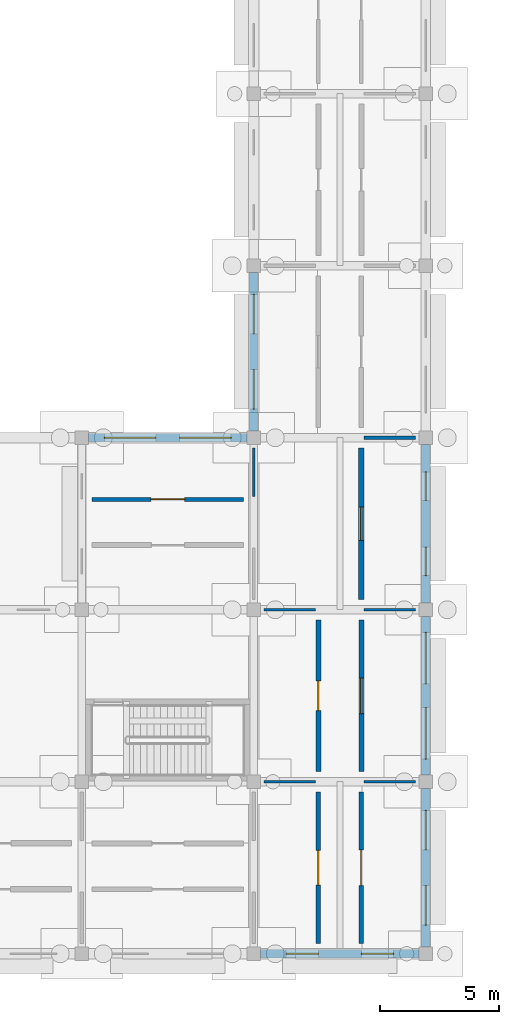
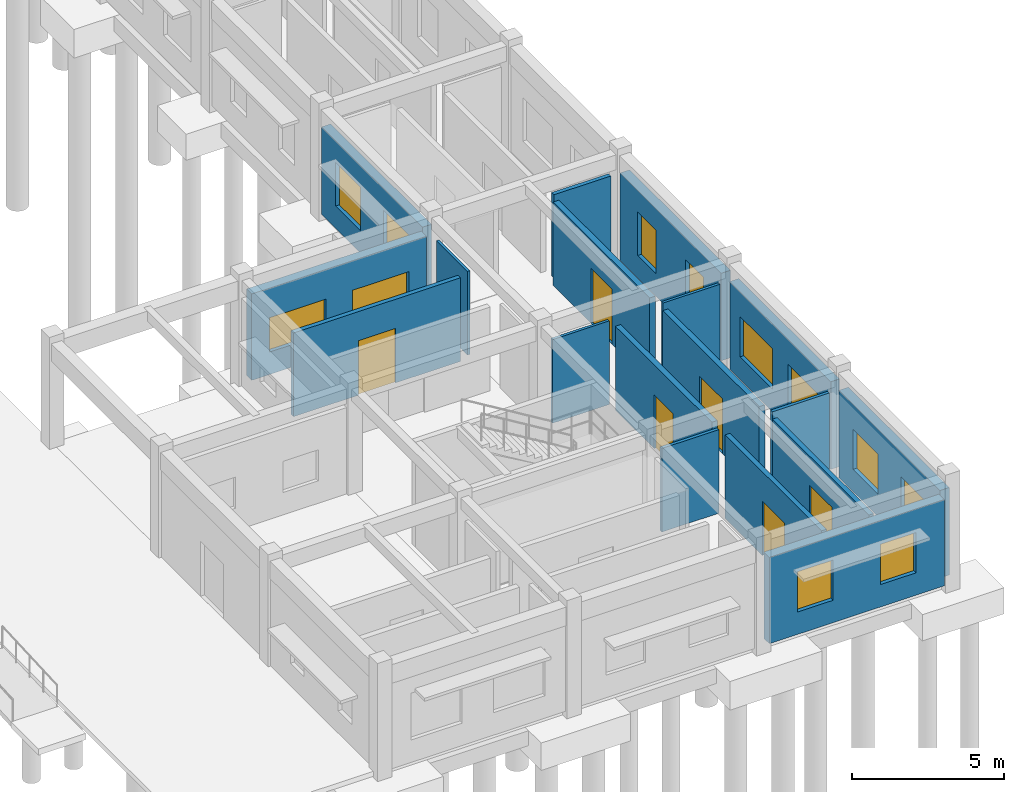
# One storey, part 77 of 111: 18 walls, 12 windows, 6 doors, 18 openings.
"""IFC4 building model written with IfcOpenShell, lengths in metres."""

from ifc_helpers import new_model, si_unit, direction, frame, frame_2d, origin, place, context, subcontext, project, spatial, rectangle, extrude, material, layer, layer_set, type_object, element, fill, save


model = new_model("IFC4")

# Units and contexts
model_context = context("Model", 3, precision=1e-05, world=origin(), true_north=direction((0.0, 1.0)))
body_context = subcontext(model_context, "Body", "Model", "MODEL_VIEW")
ifc_project = project(units=[si_unit("LENGTHUNIT", "METRE"), si_unit("AREAUNIT", "SQUARE_METRE"), si_unit("VOLUMEUNIT", "CUBIC_METRE"), si_unit("PLANEANGLEUNIT", "RADIAN"), si_unit("MASSUNIT", "GRAM", prefix="KILO")], contexts=[model_context])

# Site, building, storey
site_placement = place(None, origin())
site = spatial("IfcSite", under=ifc_project, at=site_placement, CompositionType="ELEMENT")
building_placement = place(site_placement, origin())
building = spatial("IfcBuilding", under=site, at=building_placement, Name="Aldebral Square Health Centre", CompositionType="ELEMENT")
storey_placement = place(building_placement, origin())
storey = spatial("IfcBuildingStorey", under=building, at=storey_placement, Name="L00", CompositionType="ELEMENT", Elevation=0.0)

# Wall, openings, windows
ifc_material_1 = material(Name="Cream cantera stone and concrete wall C35/45", Category="masonry")
ifc_layer_1 = layer(ifc_material_1, 0.340087890625, Name="Cream cantera stone and concrete wall C35/45", Category="masonry")
ifc_layer_set_1 = layer_set([ifc_layer_1], Name="Cream cantera stone and concrete wall C35/45")
wall_type_1 = type_object("IfcWallType", Name="EW-CAN-340", PredefinedType="SOLIDWALL", material=ifc_layer_set_1)
wall_1_placement = place(storey_placement, frame((158.125, 21.60009765625, 0.0), z_axis=(0.0, 0.0, 1.0), x_axis=(-1.0, 0.0, 0.0)))
wall_1 = element("IfcWall", 1, at=wall_1_placement, inside=storey, type_object=wall_type_1, Name="L00 V3 exterior wall L00-V3-21-02-N", PredefinedType="SOLIDWALL", context=body_context, shape_type="SweptSolid", body=[
    extrude(rectangle(XDim=6.64990234375, YDim=0.340087890625, at=frame_2d((3.324951171875, 0.0))), origin(), (0.0, 0.0, 1.0), 3.469970703125),
])
opening_1_placement = place(wall_1_placement, frame((0.675048828125, 0.0, 0.89990234375)))
opening_1 = element("IfcOpeningElement", 2, at=opening_1_placement, cuts=wall_1, Name="Opening W18", PredefinedType="OPENING", context=body_context, shape_type="SweptSolid", body=[
    extrude(rectangle(XDim=2.14990234375, YDim=1.3798828125, at=frame_2d((1.074951171875, 0.68994140625))), frame((0.0, 0.18017578125, 0.0), z_axis=(0.0, -1.0, 0.0), x_axis=(1.0, 0.0, 0.0)), (0.0, 0.0, 1.0), 0.360107421875),
])
opening_2_placement = place(wall_1_placement, frame((3.824951171875, 0.0, 0.89990234375)))
opening_2 = element("IfcOpeningElement", 3, at=opening_2_placement, cuts=wall_1, Name="Opening W18", PredefinedType="OPENING", context=body_context, shape_type="SweptSolid", body=[
    extrude(rectangle(XDim=2.14990234375, YDim=1.3798828125, at=frame_2d((1.074951171875, 0.68994140625))), frame((0.0, 0.18017578125, 0.0), z_axis=(0.0, -1.0, 0.0), x_axis=(1.0, 0.0, 0.0)), (0.0, 0.0, 1.0), 0.360107421875),
])
ifc_material_2 = material(Name="Thermally broken aluminium and low-E glass", Category="aluminium")
window_type_1 = type_object("IfcWindowType", Name="WIN-W18", PartitioningType="SINGLE_PANEL", PredefinedType="WINDOW", material=ifc_material_2)
window_1_placement = place(opening_1_placement, origin())
window_1 = element("IfcWindow", 4, at=window_1_placement, inside=storey, type_object=window_type_1, Name="L00 clinical window L00-V3-21-02-N.1", OverallHeight=1.3798828125, OverallWidth=2.14990234375, PartitioningType="SINGLE_PANEL", PredefinedType="WINDOW", context=body_context, shape_type="SweptSolid", body=[
    extrude(rectangle(XDim=2.14990234375, YDim=1.3798828125, at=frame_2d((1.074951171875, 0.68994140625))), frame((0.0, 0.030029296875, 0.0), z_axis=(0.0, -1.0, 0.0), x_axis=(1.0, 0.0, 0.0)), (0.0, 0.0, 1.0), 0.06005859375),
])
fill(opening_1, window_1)
window_2_placement = place(opening_2_placement, origin())
window_2 = element("IfcWindow", 5, at=window_2_placement, inside=storey, type_object=window_type_1, Name="L00 clinical window L00-V3-21-02-N.2", OverallHeight=1.3798828125, OverallWidth=2.14990234375, PartitioningType="SINGLE_PANEL", PredefinedType="WINDOW", context=body_context, shape_type="SweptSolid", body=[
    extrude(rectangle(XDim=2.14990234375, YDim=1.3798828125, at=frame_2d((1.074951171875, 0.68994140625))), frame((0.0, 0.030029296875, 0.0), z_axis=(0.0, -1.0, 0.0), x_axis=(1.0, 0.0, 0.0)), (0.0, 0.0, 1.0), 0.06005859375),
])
fill(opening_2, window_2)

wall_2_placement = place(storey_placement, frame((165.60009765625, 7.47509765625, 0.0), z_axis=(0.0, 0.0, 1.0), x_axis=(0.0, 1.0, 0.0)))
wall_2 = element("IfcWall", 6, at=wall_2_placement, inside=storey, type_object=wall_type_1, Name="L00 V3 exterior wall L00-V3-22-01-E", PredefinedType="SOLIDWALL", context=body_context, shape_type="SweptSolid", body=[
    extrude(rectangle(XDim=6.64990234375, YDim=0.340087890625, at=frame_2d((3.324951171875, 0.0))), origin(), (0.0, 0.0, 1.0), 3.52001953125),
])
opening_3_placement = place(wall_2_placement, frame((0.675048828125, 0.0, 0.89990234375)))
opening_3 = element("IfcOpeningElement", 7, at=opening_3_placement, cuts=wall_2, Name="Opening W36", PredefinedType="OPENING", context=body_context, shape_type="SweptSolid", body=[
    extrude(rectangle(XDim=2.14990234375, YDim=1.6201171875, at=frame_2d((1.074951171875, 0.81005859375))), frame((0.0, 0.18017578125, 0.0), z_axis=(0.0, -1.0, 0.0), x_axis=(1.0, 0.0, 0.0)), (0.0, 0.0, 1.0), 0.360107421875),
])
opening_4_placement = place(wall_2_placement, frame((3.824951171875, 0.0, 0.89990234375)))
opening_4 = element("IfcOpeningElement", 8, at=opening_4_placement, cuts=wall_2, Name="Opening W36", PredefinedType="OPENING", context=body_context, shape_type="SweptSolid", body=[
    extrude(rectangle(XDim=2.14990234375, YDim=1.6201171875, at=frame_2d((1.074951171875, 0.81005859375))), frame((0.0, 0.18017578125, 0.0), z_axis=(0.0, -1.0, 0.0), x_axis=(1.0, 0.0, 0.0)), (0.0, 0.0, 1.0), 0.360107421875),
])
window_type_2 = type_object("IfcWindowType", Name="WIN-W36", PartitioningType="SINGLE_PANEL", PredefinedType="WINDOW", material=ifc_material_2)
window_3_placement = place(opening_3_placement, origin())
window_3 = element("IfcWindow", 9, at=window_3_placement, inside=storey, type_object=window_type_2, Name="L00 clinical window L00-V3-22-01-E.1", OverallHeight=1.6201171875, OverallWidth=2.14990234375, PartitioningType="SINGLE_PANEL", PredefinedType="WINDOW", context=body_context, shape_type="SweptSolid", body=[
    extrude(rectangle(XDim=2.14990234375, YDim=1.6201171875, at=frame_2d((1.074951171875, 0.81005859375))), frame((0.0, 0.030029296875, 0.0), z_axis=(0.0, -1.0, 0.0), x_axis=(1.0, 0.0, 0.0)), (0.0, 0.0, 1.0), 0.06005859375),
])
fill(opening_3, window_3)
window_4_placement = place(opening_4_placement, origin())
window_4 = element("IfcWindow", 10, at=window_4_placement, inside=storey, type_object=window_type_2, Name="L00 clinical window L00-V3-22-01-E.2", OverallHeight=1.6201171875, OverallWidth=2.14990234375, PartitioningType="SINGLE_PANEL", PredefinedType="WINDOW", context=body_context, shape_type="SweptSolid", body=[
    extrude(rectangle(XDim=2.14990234375, YDim=1.6201171875, at=frame_2d((1.074951171875, 0.81005859375))), frame((0.0, 0.030029296875, 0.0), z_axis=(0.0, -1.0, 0.0), x_axis=(1.0, 0.0, 0.0)), (0.0, 0.0, 1.0), 0.06005859375),
])
fill(opening_4, window_4)

wall_3_placement = place(storey_placement, frame((158.39990234375, 28.52490234375, 0.0), z_axis=(0.0, 0.0, 1.0), x_axis=(0.0, -1.0, 0.0)))
wall_3 = element("IfcWall", 11, at=wall_3_placement, inside=storey, type_object=wall_type_1, Name="L00 V3 exterior wall L00-V3-22-03-W", PredefinedType="SOLIDWALL", context=body_context, shape_type="SweptSolid", body=[
    extrude(rectangle(XDim=6.64990234375, YDim=0.340087890625, at=frame_2d((3.324951171875, 0.0))), origin(), (0.0, 0.0, 1.0), 3.52001953125),
])
opening_5_placement = place(wall_3_placement, frame((0.925048828125, 0.0, 0.89990234375)))
opening_5 = element("IfcOpeningElement", 12, at=opening_5_placement, cuts=wall_3, Name="Opening W42", PredefinedType="OPENING", context=body_context, shape_type="SweptSolid", body=[
    extrude(rectangle(XDim=1.64990234375, YDim=1.75, at=frame_2d((0.824951171875, 0.875))), frame((0.0, 0.18017578125, 0.0), z_axis=(0.0, -1.0, 0.0), x_axis=(1.0, 0.0, 0.0)), (0.0, 0.0, 1.0), 0.360107421875),
])
opening_6_placement = place(wall_3_placement, frame((4.074951171875, 0.0, 0.89990234375)))
opening_6 = element("IfcOpeningElement", 13, at=opening_6_placement, cuts=wall_3, Name="Opening W42", PredefinedType="OPENING", context=body_context, shape_type="SweptSolid", body=[
    extrude(rectangle(XDim=1.64990234375, YDim=1.75, at=frame_2d((0.824951171875, 0.875))), frame((0.0, 0.18017578125, 0.0), z_axis=(0.0, -1.0, 0.0), x_axis=(1.0, 0.0, 0.0)), (0.0, 0.0, 1.0), 0.360107421875),
])
window_type_3 = type_object("IfcWindowType", Name="WIN-W42", PartitioningType="SINGLE_PANEL", PredefinedType="WINDOW", material=ifc_material_2)
window_5_placement = place(opening_5_placement, origin())
window_5 = element("IfcWindow", 14, at=window_5_placement, inside=storey, type_object=window_type_3, Name="L00 clinical window L00-V3-22-03-W.1", OverallHeight=1.75, OverallWidth=1.64990234375, PartitioningType="SINGLE_PANEL", PredefinedType="WINDOW", context=body_context, shape_type="SweptSolid", body=[
    extrude(rectangle(XDim=1.64990234375, YDim=1.75, at=frame_2d((0.824951171875, 0.875))), frame((0.0, 0.030029296875, 0.0), z_axis=(0.0, -1.0, 0.0), x_axis=(1.0, 0.0, 0.0)), (0.0, 0.0, 1.0), 0.06005859375),
])
fill(opening_5, window_5)
window_6_placement = place(opening_6_placement, origin())
window_6 = element("IfcWindow", 15, at=window_6_placement, inside=storey, type_object=window_type_3, Name="L00 clinical window L00-V3-22-03-W.2", OverallHeight=1.75, OverallWidth=1.64990234375, PartitioningType="SINGLE_PANEL", PredefinedType="WINDOW", context=body_context, shape_type="SweptSolid", body=[
    extrude(rectangle(XDim=1.64990234375, YDim=1.75, at=frame_2d((0.824951171875, 0.875))), frame((0.0, 0.030029296875, 0.0), z_axis=(0.0, -1.0, 0.0), x_axis=(1.0, 0.0, 0.0)), (0.0, 0.0, 1.0), 0.06005859375),
])
fill(opening_6, window_6)

ifc_layer_2 = layer(ifc_material_1, 0.360107421875, Name="Cream cantera stone and concrete wall C35/45", Category="masonry")
ifc_layer_set_2 = layer_set([ifc_layer_2], Name="Cream cantera stone and concrete wall C35/45")
wall_type_2 = type_object("IfcWallType", Name="EW-CAN-360", PredefinedType="SOLIDWALL", material=ifc_layer_set_2)
wall_4_placement = place(storey_placement, frame((158.675048828125, 0.0, 0.0), z_axis=(0.0, 0.0, 1.0), x_axis=(1.0, 0.0, 0.0)))
wall_4 = element("IfcWall", 16, at=wall_4_placement, inside=storey, type_object=wall_type_2, Name="L00 V3 exterior wall L00-V3-22-00-S", PredefinedType="SOLIDWALL", context=body_context, shape_type="SweptSolid", body=[
    extrude(rectangle(XDim=6.64990234375, YDim=0.360107421875, at=frame_2d((3.324951171875, 0.0))), origin(), (0.0, 0.0, 1.0), 3.469970703125),
])
opening_7_placement = place(wall_4_placement, frame((1.074951171875, 0.0, 0.89990234375)))
opening_7 = element("IfcOpeningElement", 17, at=opening_7_placement, cuts=wall_4, Name="Opening W31", PredefinedType="OPENING", context=body_context, shape_type="SweptSolid", body=[
    extrude(rectangle(XDim=1.35009765625, YDim=1.6201171875, at=frame_2d((0.675048828125, 0.81005859375))), frame((0.0, 0.18994140625, 0.0), z_axis=(0.0, -1.0, 0.0), x_axis=(1.0, 0.0, 0.0)), (0.0, 0.0, 1.0), 0.380126953125),
])
opening_8_placement = place(wall_4_placement, frame((4.22509765625, 0.0, 0.89990234375)))
opening_8 = element("IfcOpeningElement", 18, at=opening_8_placement, cuts=wall_4, Name="Opening W31", PredefinedType="OPENING", context=body_context, shape_type="SweptSolid", body=[
    extrude(rectangle(XDim=1.35009765625, YDim=1.6201171875, at=frame_2d((0.675048828125, 0.81005859375))), frame((0.0, 0.18994140625, 0.0), z_axis=(0.0, -1.0, 0.0), x_axis=(1.0, 0.0, 0.0)), (0.0, 0.0, 1.0), 0.380126953125),
])
window_type_4 = type_object("IfcWindowType", Name="WIN-W31", PartitioningType="SINGLE_PANEL", PredefinedType="WINDOW", material=ifc_material_2)
window_7_placement = place(opening_7_placement, origin())
window_7 = element("IfcWindow", 19, at=window_7_placement, inside=storey, type_object=window_type_4, Name="L00 clinical window L00-V3-22-00-S.1", OverallHeight=1.6201171875, OverallWidth=1.35009765625, PartitioningType="SINGLE_PANEL", PredefinedType="WINDOW", context=body_context, shape_type="SweptSolid", body=[
    extrude(rectangle(XDim=1.35009765625, YDim=1.6201171875, at=frame_2d((0.675048828125, 0.81005859375))), frame((0.0, 0.030029296875, 0.0), z_axis=(0.0, -1.0, 0.0), x_axis=(1.0, 0.0, 0.0)), (0.0, 0.0, 1.0), 0.06005859375),
])
fill(opening_7, window_7)
window_8_placement = place(opening_8_placement, origin())
window_8 = element("IfcWindow", 20, at=window_8_placement, inside=storey, type_object=window_type_4, Name="L00 clinical window L00-V3-22-00-S.2", OverallHeight=1.6201171875, OverallWidth=1.35009765625, PartitioningType="SINGLE_PANEL", PredefinedType="WINDOW", context=body_context, shape_type="SweptSolid", body=[
    extrude(rectangle(XDim=1.35009765625, YDim=1.6201171875, at=frame_2d((0.675048828125, 0.81005859375))), frame((0.0, 0.030029296875, 0.0), z_axis=(0.0, -1.0, 0.0), x_axis=(1.0, 0.0, 0.0)), (0.0, 0.0, 1.0), 0.06005859375),
])
fill(opening_8, window_8)

wall_5_placement = place(storey_placement, frame((165.60009765625, 0.27490234375, 0.0), z_axis=(0.0, 0.0, 1.0), x_axis=(0.0, 1.0, 0.0)))
wall_5 = element("IfcWall", 21, at=wall_5_placement, inside=storey, type_object=wall_type_2, Name="L00 V3 exterior wall L00-V3-22-00-E", PredefinedType="SOLIDWALL", context=body_context, shape_type="SweptSolid", body=[
    extrude(rectangle(XDim=6.650146484375, YDim=0.360107421875, at=frame_2d((3.3251953125, 0.0))), origin(), (0.0, 0.0, 1.0), 3.52001953125),
])
opening_9_placement = place(wall_5_placement, frame((0.925048828125, 0.0, 0.89990234375)))
opening_9 = element("IfcOpeningElement", 22, at=opening_9_placement, cuts=wall_5, Name="Opening W33", PredefinedType="OPENING", context=body_context, shape_type="SweptSolid", body=[
    extrude(rectangle(XDim=1.64990234375, YDim=1.6201171875, at=frame_2d((0.824951171875, 0.81005859375))), frame((0.0, 0.18994140625, 0.0), z_axis=(0.0, -1.0, 0.0), x_axis=(1.0, 0.0, 0.0)), (0.0, 0.0, 1.0), 0.380126953125),
])
opening_10_placement = place(wall_5_placement, frame((4.074951171875, 0.0, 0.89990234375)))
opening_10 = element("IfcOpeningElement", 23, at=opening_10_placement, cuts=wall_5, Name="Opening W33", PredefinedType="OPENING", context=body_context, shape_type="SweptSolid", body=[
    extrude(rectangle(XDim=1.64990234375, YDim=1.6201171875, at=frame_2d((0.824951171875, 0.81005859375))), frame((0.0, 0.18994140625, 0.0), z_axis=(0.0, -1.0, 0.0), x_axis=(1.0, 0.0, 0.0)), (0.0, 0.0, 1.0), 0.380126953125),
])
window_type_5 = type_object("IfcWindowType", Name="WIN-W33", PartitioningType="SINGLE_PANEL", PredefinedType="WINDOW", material=ifc_material_2)
window_9_placement = place(opening_9_placement, origin())
window_9 = element("IfcWindow", 24, at=window_9_placement, inside=storey, type_object=window_type_5, Name="L00 clinical window L00-V3-22-00-E.1", OverallHeight=1.6201171875, OverallWidth=1.64990234375, PartitioningType="SINGLE_PANEL", PredefinedType="WINDOW", context=body_context, shape_type="SweptSolid", body=[
    extrude(rectangle(XDim=1.64990234375, YDim=1.6201171875, at=frame_2d((0.824951171875, 0.81005859375))), frame((0.0, 0.030029296875, 0.0), z_axis=(0.0, -1.0, 0.0), x_axis=(1.0, 0.0, 0.0)), (0.0, 0.0, 1.0), 0.06005859375),
])
fill(opening_9, window_9)
window_10_placement = place(opening_10_placement, origin())
window_10 = element("IfcWindow", 25, at=window_10_placement, inside=storey, type_object=window_type_5, Name="L00 clinical window L00-V3-22-00-E.2", OverallHeight=1.6201171875, OverallWidth=1.64990234375, PartitioningType="SINGLE_PANEL", PredefinedType="WINDOW", context=body_context, shape_type="SweptSolid", body=[
    extrude(rectangle(XDim=1.64990234375, YDim=1.6201171875, at=frame_2d((0.824951171875, 0.81005859375))), frame((0.0, 0.030029296875, 0.0), z_axis=(0.0, -1.0, 0.0), x_axis=(1.0, 0.0, 0.0)), (0.0, 0.0, 1.0), 0.06005859375),
])
fill(opening_10, window_10)

wall_6_placement = place(storey_placement, frame((165.60009765625, 14.675048828125, 0.0), z_axis=(0.0, 0.0, 1.0), x_axis=(0.0, 1.0, 0.0)))
wall_6 = element("IfcWall", 26, at=wall_6_placement, inside=storey, type_object=wall_type_2, Name="L00 V3 exterior wall L00-V3-22-02-E", PredefinedType="SOLIDWALL", context=body_context, shape_type="SweptSolid", body=[
    extrude(rectangle(XDim=6.64990234375, YDim=0.360107421875, at=frame_2d((3.324951171875, 0.0))), origin(), (0.0, 0.0, 1.0), 3.52001953125),
])
opening_11_placement = place(wall_6_placement, frame((1.14990234375, 0.0, 0.89990234375)))
opening_11 = element("IfcOpeningElement", 27, at=opening_11_placement, cuts=wall_6, Name="Opening W39", PredefinedType="OPENING", context=body_context, shape_type="SweptSolid", body=[
    extrude(rectangle(XDim=1.199951171875, YDim=1.75, at=frame_2d((0.60009765625, 0.875))), frame((0.0, 0.18994140625, 0.0), z_axis=(0.0, -1.0, 0.0), x_axis=(1.0, 0.0, 0.0)), (0.0, 0.0, 1.0), 0.380126953125),
])
opening_12_placement = place(wall_6_placement, frame((4.300048828125, 0.0, 0.89990234375)))
opening_12 = element("IfcOpeningElement", 28, at=opening_12_placement, cuts=wall_6, Name="Opening W39", PredefinedType="OPENING", context=body_context, shape_type="SweptSolid", body=[
    extrude(rectangle(XDim=1.199951171875, YDim=1.75, at=frame_2d((0.60009765625, 0.875))), frame((0.0, 0.18994140625, 0.0), z_axis=(0.0, -1.0, 0.0), x_axis=(1.0, 0.0, 0.0)), (0.0, 0.0, 1.0), 0.380126953125),
])
window_type_6 = type_object("IfcWindowType", Name="WIN-W39", PartitioningType="SINGLE_PANEL", PredefinedType="WINDOW", material=ifc_material_2)
window_11_placement = place(opening_11_placement, origin())
window_11 = element("IfcWindow", 29, at=window_11_placement, inside=storey, type_object=window_type_6, Name="L00 clinical window L00-V3-22-02-E.1", OverallHeight=1.75, OverallWidth=1.199951171875, PartitioningType="SINGLE_PANEL", PredefinedType="WINDOW", context=body_context, shape_type="SweptSolid", body=[
    extrude(rectangle(XDim=1.199951171875, YDim=1.75, at=frame_2d((0.60009765625, 0.875))), frame((0.0, 0.030029296875, 0.0), z_axis=(0.0, -1.0, 0.0), x_axis=(1.0, 0.0, 0.0)), (0.0, 0.0, 1.0), 0.06005859375),
])
fill(opening_11, window_11)
window_12_placement = place(opening_12_placement, origin())
window_12 = element("IfcWindow", 30, at=window_12_placement, inside=storey, type_object=window_type_6, Name="L00 clinical window L00-V3-22-02-E.2", OverallHeight=1.75, OverallWidth=1.199951171875, PartitioningType="SINGLE_PANEL", PredefinedType="WINDOW", context=body_context, shape_type="SweptSolid", body=[
    extrude(rectangle(XDim=1.199951171875, YDim=1.75, at=frame_2d((0.60009765625, 0.875))), frame((0.0, 0.030029296875, 0.0), z_axis=(0.0, -1.0, 0.0), x_axis=(1.0, 0.0, 0.0)), (0.0, 0.0, 1.0), 0.06005859375),
])
fill(opening_12, window_12)

# Wall, opening, door
ifc_material_3 = material(Name="Concrete C35/45 compartment wall", Category="concrete")
ifc_layer_3 = layer(ifc_material_3, 0.219970703125, Name="Concrete C35/45 compartment wall", Category="concrete")
ifc_layer_set_3 = layer_set([ifc_layer_3], Name="Concrete C35/45 compartment wall")
wall_type_3 = type_object("IfcWallType", Name="IW-CMP-220", PredefinedType="SOLIDWALL", material=ifc_layer_set_3)
wall_7_placement = place(storey_placement, frame((162.89990234375, 14.820068359375, 0.0), z_axis=(0.0, 0.0, 1.0), x_axis=(0.0, 1.0, 0.0)))
wall_7 = element("IfcWall", 31, at=wall_7_placement, inside=storey, type_object=wall_type_3, Name="L00 Rehabilitation Gym 23.3E corridor wall", PredefinedType="SOLIDWALL", context=body_context, shape_type="SweptSolid", body=[
    extrude(rectangle(XDim=6.35986328125, YDim=0.219970703125, at=frame_2d((3.179931640625, 0.0))), origin(), (0.0, 0.0, 1.0), 3.360107421875),
])
opening_13_placement = place(wall_7_placement, frame((2.47998046875, 0.0, 0.0)))
opening_13 = element("IfcOpeningElement", 32, at=opening_13_placement, cuts=wall_7, Name="Opening D-0081", PredefinedType="OPENING", context=body_context, shape_type="SweptSolid", body=[
    extrude(rectangle(XDim=1.39990234375, YDim=2.199951171875, at=frame_2d((0.699951171875, 1.10009765625))), frame((0.0, 0.1201171875, 0.0), z_axis=(0.0, -1.0, 0.0), x_axis=(1.0, 0.0, 0.0)), (0.0, 0.0, 1.0), 0.239990234375),
])
ifc_material_4 = material(Name="Surgical recovery fire door")
door_type_1 = type_object("IfcDoorType", Name="ID-OR-140", OperationType="NOTDEFINED", PredefinedType="DOOR", material=ifc_material_4)
door_1_placement = place(opening_13_placement, origin())
door_1 = element("IfcDoor", 33, at=door_1_placement, inside=storey, type_object=door_type_1, Name="L00 Rehabilitation Gym 23.3E door", OperationType="SINGLE_SWING_RIGHT", OverallHeight=2.199951171875, OverallWidth=1.39990234375, PredefinedType="DOOR", context=body_context, shape_type="SweptSolid", body=[
    extrude(rectangle(XDim=1.39990234375, YDim=2.199951171875, at=frame_2d((0.699951171875, 1.10009765625))), frame((0.0, 0.02490234375, 0.0), z_axis=(0.0, -1.0, 0.0), x_axis=(1.0, 0.0, 0.0)), (0.0, 0.0, 1.0), 0.050048828125),
])
fill(opening_13, door_1)

ifc_material_5 = material(Name="Fire-rated acoustic gypsum partition")
ifc_layer_4 = layer(ifc_material_5, 0.1650390625, Name="Fire-rated acoustic gypsum partition")
ifc_layer_set_4 = layer_set([ifc_layer_4], Name="Fire-rated acoustic gypsum partition")
wall_type_4 = type_object("IfcWallType", Name="IW-COR-165", PredefinedType="PARTITIONING", material=ifc_layer_set_4)
wall_8_placement = place(storey_placement, frame((151.6201171875, 19.02001953125, 0.0), z_axis=(0.0, 0.0, 1.0), x_axis=(1.0, 0.0, 0.0)))
wall_8 = element("IfcWall", 34, at=wall_8_placement, inside=storey, type_object=wall_type_4, Name="L00 Rehabilitation Gym 22.3N corridor wall", PredefinedType="PARTITIONING", context=body_context, shape_type="SweptSolid", body=[
    extrude(rectangle(XDim=6.35986328125, YDim=0.1650390625, at=frame_2d((3.179931640625, 0.0))), origin(), (0.0, 0.0, 1.0), 3.360107421875),
])
opening_14_placement = place(wall_8_placement, frame((2.469970703125, 0.0, 0.0)))
opening_14 = element("IfcOpeningElement", 35, at=opening_14_placement, cuts=wall_8, Name="Opening D-FD60-66", PredefinedType="OPENING", context=body_context, shape_type="SweptSolid", body=[
    extrude(rectangle(XDim=1.419921875, YDim=2.18994140625, at=frame_2d((0.7099609375, 1.094970703125))), frame((0.0, 0.092529296875, 0.0), z_axis=(0.0, -1.0, 0.0), x_axis=(1.0, 0.0, 0.0)), (0.0, 0.0, 1.0), 0.18505859375),
])
ifc_material_6 = material(Name="Clinical suite fire door")
door_type_2 = type_object("IfcDoorType", Name="ID-EXD-61", OperationType="NOTDEFINED", PredefinedType="DOOR", material=ifc_material_6)
door_2_placement = place(opening_14_placement, origin())
door_2 = element("IfcDoor", 36, at=door_2_placement, inside=storey, type_object=door_type_2, Name="L00 Rehabilitation Gym 22.3N door", OperationType="SINGLE_SWING_LEFT", OverallHeight=2.18994140625, OverallWidth=1.419921875, PredefinedType="DOOR", context=body_context, shape_type="SweptSolid", body=[
    extrude(rectangle(XDim=1.419921875, YDim=2.18994140625, at=frame_2d((0.7099609375, 1.094970703125))), frame((0.0, 0.02490234375, 0.0), z_axis=(0.0, -1.0, 0.0), x_axis=(1.0, 0.0, 0.0)), (0.0, 0.0, 1.0), 0.050048828125),
])
fill(opening_14, door_2)

ifc_layer_5 = layer(ifc_material_5, 0.179931640625, Name="Fire-rated acoustic gypsum partition")
ifc_layer_set_5 = layer_set([ifc_layer_5], Name="Fire-rated acoustic gypsum partition")
wall_type_5 = type_object("IfcWallType", Name="IW-COR-180", PredefinedType="PARTITIONING", material=ifc_layer_set_5)
wall_9_placement = place(storey_placement, frame((161.10009765625, 0.419921875, 0.0), z_axis=(0.0, 0.0, 1.0), x_axis=(0.0, 1.0, 0.0)))
wall_9 = element("IfcWall", 37, at=wall_9_placement, inside=storey, type_object=wall_type_5, Name="L00 Physiotherapy Cubicles 23.1W corridor wall", PredefinedType="PARTITIONING", context=body_context, shape_type="SweptSolid", body=[
    extrude(rectangle(XDim=6.360107421875, YDim=0.179931640625, at=frame_2d((3.18017578125, 0.0))), origin(), (0.0, 0.0, 1.0), 3.360107421875),
])
opening_15_placement = place(wall_9_placement, frame((2.449951171875, 0.0, 0.0)))
opening_15 = element("IfcOpeningElement", 38, at=opening_15_placement, cuts=wall_9, Name="Opening D-FD60-67", PredefinedType="OPENING", context=body_context, shape_type="SweptSolid", body=[
    extrude(rectangle(XDim=1.4599609375, YDim=2.18994140625, at=frame_2d((0.72998046875, 1.094970703125))), frame((0.0, 0.10009765625, 0.0), z_axis=(0.0, -1.0, 0.0), x_axis=(1.0, 0.0, 0.0)), (0.0, 0.0, 1.0), 0.199951171875),
])
door_type_3 = type_object("IfcDoorType", Name="ID-EXD-62", OperationType="NOTDEFINED", PredefinedType="DOOR", material=ifc_material_6)
door_3_placement = place(opening_15_placement, origin())
door_3 = element("IfcDoor", 39, at=door_3_placement, inside=storey, type_object=door_type_3, Name="L00 Physiotherapy Cubicles 23.1W door", OperationType="SINGLE_SWING_RIGHT", OverallHeight=2.18994140625, OverallWidth=1.4599609375, PredefinedType="DOOR", context=body_context, shape_type="SweptSolid", body=[
    extrude(rectangle(XDim=1.4599609375, YDim=2.18994140625, at=frame_2d((0.72998046875, 1.094970703125))), frame((0.0, 0.02490234375, 0.0), z_axis=(0.0, -1.0, 0.0), x_axis=(1.0, 0.0, 0.0)), (0.0, 0.0, 1.0), 0.050048828125),
])
fill(opening_15, door_3)

wall_10_placement = place(storey_placement, frame((162.89990234375, 0.419921875, 0.0), z_axis=(0.0, 0.0, 1.0), x_axis=(0.0, 1.0, 0.0)))
wall_10 = element("IfcWall", 40, at=wall_10_placement, inside=storey, type_object=wall_type_5, Name="L00 Gait Assessment Studio 23.1E corridor wall", PredefinedType="PARTITIONING", context=body_context, shape_type="SweptSolid", body=[
    extrude(rectangle(XDim=6.360107421875, YDim=0.179931640625, at=frame_2d((3.18017578125, 0.0))), origin(), (0.0, 0.0, 1.0), 3.360107421875),
])
opening_16_placement = place(wall_10_placement, frame((2.429931640625, 0.0, 0.0)))
opening_16 = element("IfcOpeningElement", 41, at=opening_16_placement, cuts=wall_10, Name="Opening D-FD60-68", PredefinedType="OPENING", context=body_context, shape_type="SweptSolid", body=[
    extrude(rectangle(XDim=1.5, YDim=2.18994140625, at=frame_2d((0.75, 1.094970703125))), frame((0.0, 0.10009765625, 0.0), z_axis=(0.0, -1.0, 0.0), x_axis=(1.0, 0.0, 0.0)), (0.0, 0.0, 1.0), 0.199951171875),
])
door_type_4 = type_object("IfcDoorType", Name="ID-EXD-63", OperationType="NOTDEFINED", PredefinedType="DOOR", material=ifc_material_6)
door_4_placement = place(opening_16_placement, origin())
door_4 = element("IfcDoor", 42, at=door_4_placement, inside=storey, type_object=door_type_4, Name="L00 Gait Assessment Studio 23.1E door", OperationType="SINGLE_SWING_LEFT", OverallHeight=2.18994140625, OverallWidth=1.5, PredefinedType="DOOR", context=body_context, shape_type="SweptSolid", body=[
    extrude(rectangle(XDim=1.5, YDim=2.18994140625, at=frame_2d((0.75, 1.094970703125))), frame((0.0, 0.02490234375, 0.0), z_axis=(0.0, -1.0, 0.0), x_axis=(1.0, 0.0, 0.0)), (0.0, 0.0, 1.0), 0.050048828125),
])
fill(opening_16, door_4)

ifc_material_7 = material(Name="Moisture-resistant sanitary chase wall")
ifc_layer_6 = layer(ifc_material_7, 0.2099609375, Name="Moisture-resistant sanitary chase wall")
ifc_layer_set_6 = layer_set([ifc_layer_6], Name="Moisture-resistant sanitary chase wall")
wall_type_6 = type_object("IfcWallType", Name="IW-PLB-210", PredefinedType="PLUMBINGWALL", material=ifc_layer_set_6)
wall_11_placement = place(storey_placement, frame((161.10009765625, 7.6201171875, 0.0), z_axis=(0.0, 0.0, 1.0), x_axis=(0.0, 1.0, 0.0)))
wall_11 = element("IfcWall", 43, at=wall_11_placement, inside=storey, type_object=wall_type_6, Name="L00 Accessible WC 23.2W corridor wall", PredefinedType="PLUMBINGWALL", context=body_context, shape_type="SweptSolid", body=[
    extrude(rectangle(XDim=6.35986328125, YDim=0.2099609375, at=frame_2d((3.179931640625, 0.0))), origin(), (0.0, 0.0, 1.0), 3.360107421875),
])
opening_17_placement = place(wall_11_placement, frame((2.554931640625, 0.0, 0.0)))
opening_17 = element("IfcOpeningElement", 44, at=opening_17_placement, cuts=wall_11, Name="Opening LD-03", PredefinedType="OPENING", context=body_context, shape_type="SweptSolid", body=[
    extrude(rectangle(XDim=1.25, YDim=2.14990234375, at=frame_2d((0.625, 1.074951171875))), frame((0.0, 0.114990234375, 0.0), z_axis=(0.0, -1.0, 0.0), x_axis=(1.0, 0.0, 0.0)), (0.0, 0.0, 1.0), 0.22998046875),
])
ifc_material_8 = material(Name="Stainless steel surgical lift landing door", Category="steel")
door_type_5 = type_object("IfcDoorType", Name="ID-LD-125", OperationType="SLIDING_TO_LEFT", PredefinedType="DOOR", material=ifc_material_8)
door_5_placement = place(opening_17_placement, origin())
door_5 = element("IfcDoor", 45, at=door_5_placement, inside=storey, type_object=door_type_5, Name="L00 Accessible WC 23.2W door", OperationType="SINGLE_SWING_RIGHT", OverallHeight=2.14990234375, OverallWidth=1.25, PredefinedType="DOOR", context=body_context, shape_type="SweptSolid", body=[
    extrude(rectangle(XDim=1.25, YDim=2.14990234375, at=frame_2d((0.625, 1.074951171875))), frame((0.0, 0.02490234375, 0.0), z_axis=(0.0, -1.0, 0.0), x_axis=(1.0, 0.0, 0.0)), (0.0, 0.0, 1.0), 0.050048828125),
])
fill(opening_17, door_5)

wall_12_placement = place(storey_placement, frame((162.89990234375, 7.6201171875, 0.0), z_axis=(0.0, 0.0, 1.0), x_axis=(0.0, 1.0, 0.0)))
wall_12 = element("IfcWall", 46, at=wall_12_placement, inside=storey, type_object=wall_type_6, Name="L00 Staff Toilet 23.2E corridor wall", PredefinedType="PLUMBINGWALL", context=body_context, shape_type="SweptSolid", body=[
    extrude(rectangle(XDim=6.35986328125, YDim=0.2099609375, at=frame_2d((3.179931640625, 0.0))), origin(), (0.0, 0.0, 1.0), 3.360107421875),
])
opening_18_placement = place(wall_12_placement, frame((2.429931640625, 0.0, 0.0)))
opening_18 = element("IfcOpeningElement", 47, at=opening_18_placement, cuts=wall_12, Name="Opening D-0080", PredefinedType="OPENING", context=body_context, shape_type="SweptSolid", body=[
    extrude(rectangle(XDim=1.5, YDim=2.199951171875, at=frame_2d((0.75, 1.10009765625))), frame((0.0, 0.114990234375, 0.0), z_axis=(0.0, -1.0, 0.0), x_axis=(1.0, 0.0, 0.0)), (0.0, 0.0, 1.0), 0.22998046875),
])
ifc_material_9 = material(Name="Surgical suite double-leaf fire door")
door_type_6 = type_object("IfcDoorType", Name="ID-OR-150", OperationType="NOTDEFINED", PredefinedType="DOOR", material=ifc_material_9)
door_6_placement = place(opening_18_placement, origin())
door_6 = element("IfcDoor", 48, at=door_6_placement, inside=storey, type_object=door_type_6, Name="L00 Staff Toilet 23.2E door", OperationType="SINGLE_SWING_LEFT", OverallHeight=2.199951171875, OverallWidth=1.5, PredefinedType="DOOR", context=body_context, shape_type="SweptSolid", body=[
    extrude(rectangle(XDim=1.5, YDim=2.199951171875, at=frame_2d((0.75, 1.10009765625))), frame((0.0, 0.02490234375, 0.0), z_axis=(0.0, -1.0, 0.0), x_axis=(1.0, 0.0, 0.0)), (0.0, 0.0, 1.0), 0.050048828125),
])
fill(opening_18, door_6)

# Walls
ifc_material_10 = material(Name="Lightweight clinical partition")
ifc_layer_7 = layer(ifc_material_10, 0.10498046875, Name="Lightweight clinical partition")
ifc_layer_set_7 = layer_set([ifc_layer_7], Name="Lightweight clinical partition")
wall_type_7 = type_object("IfcWallType", Name="IW-PRT-105", PredefinedType="PARTITIONING", material=ifc_layer_set_7)
wall_13_placement = place(storey_placement, frame((158.39990234375, 19.139892578125, 0.0), z_axis=(0.0, 0.0, 1.0), x_axis=(0.0, 1.0, 0.0)))
element("IfcWall", 49, at=wall_13_placement, inside=storey, type_object=wall_type_7, Name="L00 Rehabilitation Gym 22.3N demising partition", PredefinedType="PARTITIONING", context=body_context, shape_type="SweptSolid", body=[
    extrude(rectangle(XDim=2.0400390625, YDim=0.10498046875, at=frame_2d((1.02001953125, 0.0))), origin(), (0.0, 0.0, 1.0), 3.360107421875),
])
for number, where, z_axis, x_axis, name in (
    (50, (158.820068359375, 14.39990234375, 0.0), (0.0, 0.0, 1.0), (1.0, 0.0, 0.0), "L00 Accessible WC 23.2W demising partition"),
    (51, (163.02001953125, 14.39990234375, 0.0), (0.0, 0.0, 1.0), (1.0, 0.0, 0.0), "L00 Staff Toilet 23.2E demising partition"),
):
    element("IfcWall", number, at=place(storey_placement, frame(where, z_axis=z_axis, x_axis=x_axis)), inside=storey, type_object=wall_type_7, Name=name, PredefinedType="PARTITIONING", context=body_context, shape_type="SweptSolid", body=[
        extrude(rectangle(XDim=2.159912109375, YDim=0.10498046875, at=frame_2d((1.080078125, 0.0))), origin(), (0.0, 0.0, 1.0), 3.360107421875),
    ])
ifc_material_11 = material(Name="Acoustic clinical gypsum partition")
ifc_layer_8 = layer(ifc_material_11, 0.1201171875, Name="Acoustic clinical gypsum partition")
ifc_layer_set_8 = layer_set([ifc_layer_8], Name="Acoustic clinical gypsum partition")
wall_type_8 = type_object("IfcWallType", Name="IW-PRT-120", PredefinedType="PARTITIONING", material=ifc_layer_set_8)
for number, where, z_axis, x_axis, name in (
    (52, (158.820068359375, 7.199951171875, 0.0), (0.0, 0.0, 1.0), (1.0, 0.0, 0.0), "L00 Physiotherapy Cubicles 23.1W demising partition"),
    (53, (163.02001953125, 7.199951171875, 0.0), (0.0, 0.0, 1.0), (1.0, 0.0, 0.0), "L00 Gait Assessment Studio 23.1E demising partition"),
):
    element("IfcWall", number, at=place(storey_placement, frame(where, z_axis=z_axis, x_axis=x_axis)), inside=storey, type_object=wall_type_8, Name=name, PredefinedType="PARTITIONING", context=body_context, shape_type="SweptSolid", body=[
        extrude(rectangle(XDim=2.159912109375, YDim=0.1201171875, at=frame_2d((1.080078125, 0.0))), origin(), (0.0, 0.0, 1.0), 3.360107421875),
    ])
ifc_layer_9 = layer(ifc_material_11, 0.14990234375, Name="Acoustic clinical gypsum partition")
ifc_layer_set_9 = layer_set([ifc_layer_9], Name="Acoustic clinical gypsum partition")
wall_type_9 = type_object("IfcWallType", Name="IW-PRT-150", PredefinedType="PARTITIONING", material=ifc_layer_set_9)
wall_14_placement = place(storey_placement, frame((163.02001953125, 21.60009765625, 0.0), z_axis=(0.0, 0.0, 1.0), x_axis=(1.0, 0.0, 0.0)))
element("IfcWall", 54, at=wall_14_placement, inside=storey, type_object=wall_type_9, Name="L00 Rehabilitation Gym 23.3E demising partition", PredefinedType="PARTITIONING", context=body_context, shape_type="SweptSolid", body=[
    extrude(rectangle(XDim=2.159912109375, YDim=0.14990234375, at=frame_2d((1.080078125, 0.0))), origin(), (0.0, 0.0, 1.0), 3.360107421875),
])

save(model, "model.ifc")
